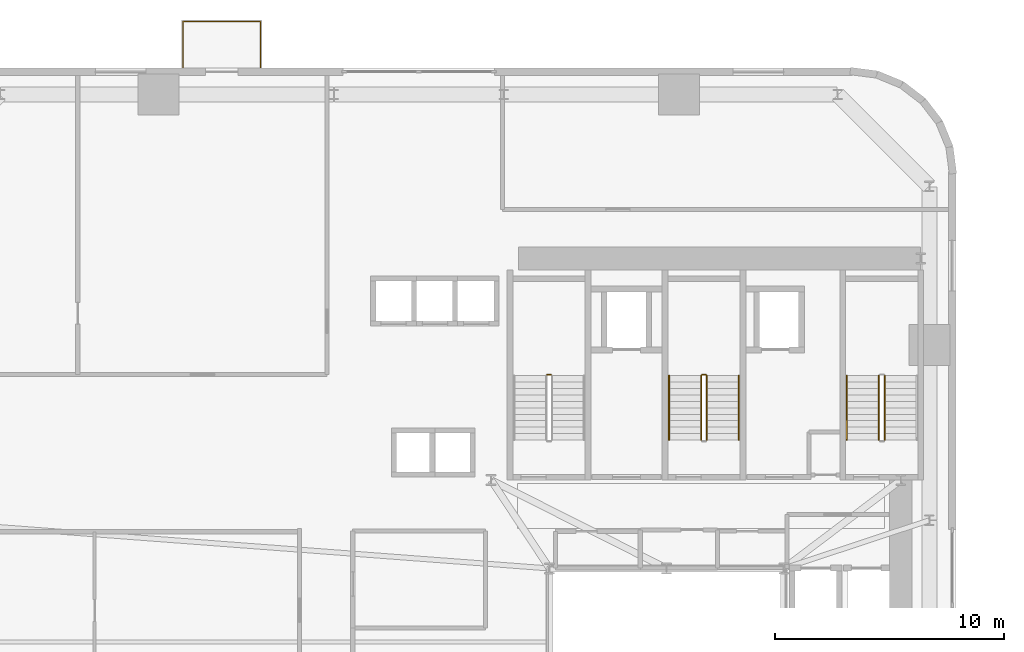
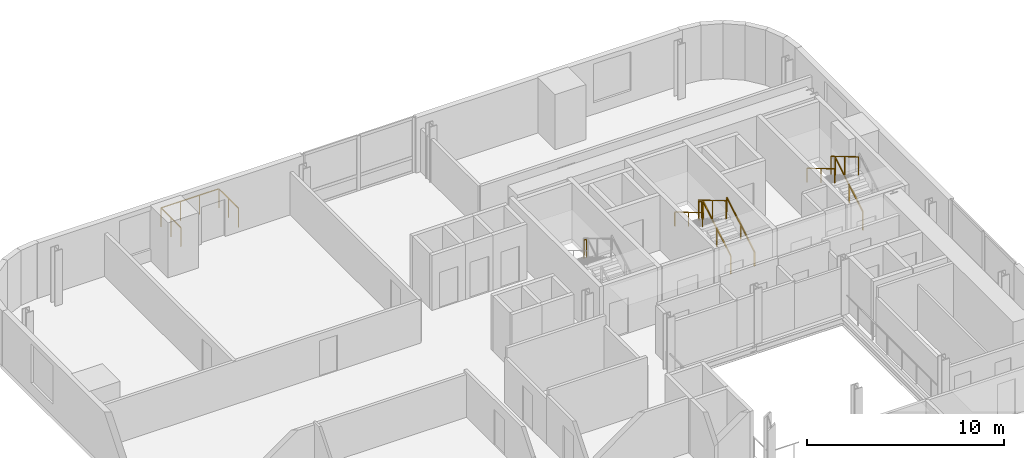
# One storey, part 12 of 13: 10 railings.
"""IFC4 building model written with IfcOpenShell, lengths in metres."""

import ifcopenshell
import ifcopenshell.guid

model = None  # the IFC model being written
_history = None  # IfcOwnerHistory: only IFC2X3 demands one
_inside = {}  # id of a spatial element -> (the spatial element, [elements in it])
_under = {}  # id of a project, library or spatial element -> (it, [spatial elements below it])
_declared = {}  # id of a project -> (the project, [libraries it declares])
_typed = {}  # id of a type object -> (the type object, [elements of that type])
_made_of = {}  # id of a material, layer set ... -> (it, [elements and type objects made of it])


def new_model(schema):
    """Start an empty IFC model of exactly this schema.

    Asked for "IFC4X3", IfcOpenShell would pick the latest addendum, in which some entities
    have other attributes; the version numbers below select the first issue.
    IFC2X3 requires an IfcOwnerHistory on every rooted entity: one is made here for all.
    """
    global model, _history
    if schema == "IFC4X3":
        model = ifcopenshell.file(schema_version=(4, 3, 0, 0))
    else:
        model = ifcopenshell.file(schema=schema)
    _inside.clear()
    _under.clear()
    _declared.clear()
    _typed.clear()
    _made_of.clear()
    _history = None
    if model.schema == "IFC2X3":
        org = make("IfcOrganization", Name="unknown")
        user = make(
            "IfcPersonAndOrganization",
            ThePerson=make("IfcPerson", FamilyName="unknown"),
            TheOrganization=org,
        )
        app = make(
            "IfcApplication",
            ApplicationDeveloper=org,
            Version="unknown",
            ApplicationFullName="unknown",
            ApplicationIdentifier="unknown",
        )
        _history = make(
            "IfcOwnerHistory",
            OwningUser=user,
            OwningApplication=app,
            ChangeAction="ADDED",
            CreationDate=0,
        )
    return model


def make(cls, **values):
    """One entity of the class cls with the attributes given. An attribute that is None is left unset."""
    return model.create_entity(
        cls, **{name: value for name, value in values.items() if value is not None}
    )


def rooted(cls, **values):
    """An entity with a GlobalId (a new one), such as an element, a storey or a relation."""
    return make(cls, GlobalId=ifcopenshell.guid.new(), OwnerHistory=_history, **values)


def si_unit(unit_type, name, prefix=None):
    """IfcSIUnit, for example si_unit("LENGTHUNIT", "METRE", prefix="MILLI")."""
    return make("IfcSIUnit", UnitType=unit_type, Prefix=prefix, Name=name)


def assignment(units):
    """IfcUnitAssignment: the units of a project."""
    return None if units is None else make("IfcUnitAssignment", Units=units)


def point(xyz):
    """IfcCartesianPoint."""
    return None if xyz is None else make("IfcCartesianPoint", Coordinates=xyz)


def direction(xyz):
    """IfcDirection."""
    return None if xyz is None else make("IfcDirection", DirectionRatios=xyz)


def frame(location, z_axis=None, x_axis=None):
    """IfcAxis2Placement3D, a coordinate frame: its origin and axes. An axis left out is left unset."""
    return make(
        "IfcAxis2Placement3D",
        Location=point(location),
        Axis=direction(z_axis),
        RefDirection=direction(x_axis),
    )


def frame_2d(location, x_axis=None):
    """IfcAxis2Placement2D, a coordinate frame in the plane: its origin and x axis."""
    return make(
        "IfcAxis2Placement2D", Location=point(location), RefDirection=direction(x_axis)
    )


def origin():
    """The frame at (0, 0, 0) with its axes left unset."""
    return frame((0.0, 0.0, 0.0))


def origin_2d():
    """The frame at (0, 0) in the plane with its x axis left unset."""
    return frame_2d((0.0, 0.0))


def place(relative_to, where):
    """IfcLocalPlacement: puts the frame where relative to a parent placement (None: the world)."""
    return make(
        "IfcLocalPlacement", PlacementRelTo=relative_to, RelativePlacement=where
    )


def context(
    kind, dimensions, precision=None, world=None, true_north=None, identifier=None
):
    """IfcGeometricRepresentationContext, for example the 3D "Model" context."""
    return make(
        "IfcGeometricRepresentationContext",
        ContextIdentifier=identifier,
        ContextType=kind,
        CoordinateSpaceDimension=dimensions,
        Precision=precision,
        WorldCoordinateSystem=world,
        TrueNorth=true_north,
    )


def subcontext(parent, identifier, kind, view, scale=None):
    """IfcGeometricRepresentationSubContext, for example "Body" below "Model"."""
    return make(
        "IfcGeometricRepresentationSubContext",
        ContextIdentifier=identifier,
        ContextType=kind,
        ParentContext=parent,
        TargetScale=scale,
        TargetView=view,
    )


def project(units=None, contexts=None):
    """IfcProject with its units and contexts."""
    return rooted(
        "IfcProject",
        Name="project",
        RepresentationContexts=contexts,
        UnitsInContext=assignment(units),
    )


def spatial(cls, under=None, at=None, **own):
    """A site, building, storey or space (cls), placed at a placement, below another one or the project."""
    s = rooted(cls, ObjectPlacement=at, **own)
    if under is not None:
        _under.setdefault(under.id(), (under, []))[1].append(s)
    return s


def profile(cls, at=None, kind="AREA", **sizes):
    """A parametric profile (cls). Its sizes go by their IFC names, for example OverallWidth=200.0."""
    return make(cls, ProfileType=kind, Position=at, **sizes)


def rectangle(**sizes):
    """IfcRectangleProfileDef."""
    return profile("IfcRectangleProfileDef", **sizes)


def extrude(swept, where, along, depth):
    """IfcExtrudedAreaSolid: the profile swept, set in the frame where, extruded along a direction by depth."""
    return make(
        "IfcExtrudedAreaSolid",
        SweptArea=swept,
        Position=where,
        ExtrudedDirection=direction(along),
        Depth=depth,
    )


def shape(context_of_items, identifier, shape_type, items):
    """IfcShapeRepresentation: the items that make up one representation, for example the "Body"."""
    return make(
        "IfcShapeRepresentation",
        ContextOfItems=context_of_items,
        RepresentationIdentifier=identifier,
        RepresentationType=shape_type,
        Items=items,
    )


def source(mapping_origin, context_of_items, identifier, shape_type, items):
    """IfcRepresentationMap: a shape defined once, which mapped items show again and again."""
    return make(
        "IfcRepresentationMap",
        MappingOrigin=mapping_origin,
        MappedRepresentation=shape(context_of_items, identifier, shape_type, items),
    )


def transform(
    local_origin,
    x_axis=None,
    y_axis=None,
    z_axis=None,
    scale=None,
    scale2=None,
    scale3=None,
    uniform=True,
):
    """IfcCartesianTransformationOperator3D, or its non-uniform kind. x_axis, y_axis, z_axis: its Axis1, 2, 3."""
    if uniform:
        return make(
            "IfcCartesianTransformationOperator3D",
            Axis1=direction(x_axis),
            Axis2=direction(y_axis),
            LocalOrigin=point(local_origin),
            Scale=scale,
            Axis3=direction(z_axis),
        )
    return make(
        "IfcCartesianTransformationOperator3DnonUniform",
        Axis1=direction(x_axis),
        Axis2=direction(y_axis),
        LocalOrigin=point(local_origin),
        Scale=scale,
        Axis3=direction(z_axis),
        Scale2=scale2,
        Scale3=scale3,
    )


def mapped(mapping_source, mapping_target):
    """IfcMappedItem: shows the shape of a source again, moved by a transform."""
    return make(
        "IfcMappedItem", MappingSource=mapping_source, MappingTarget=mapping_target
    )


def material(Name=None, Category=None):
    """IfcMaterial."""
    return make("IfcMaterial", Name=Name, Category=Category)


def made_of(thing, what):
    """Note that an element or type object is made of a material, layer set ...; save() writes the relation."""
    if what is not None:
        _made_of.setdefault(what.id(), (what, []))[1].append(thing)
    return thing


def type_object(cls, material=None, **own):
    """A type object (cls), such as IfcWallType, which elements share."""
    return made_of(rooted(cls, **own), material)


def element(
    cls,
    number,
    at=None,
    inside=None,
    cuts=None,
    type_object=None,
    material=None,
    context=None,
    identifier="Body",
    shape_type=None,
    held_by="IfcProductDefinitionShape",
    body=None,
    shapes=None,
    **own,
):
    """One element of the class cls, such as IfcWall. Its Tag is "e" and its number.

    at: its placement. inside: the storey or other place that contains it. cuts: it is an
    opening in that element (IfcRelVoidsElement). A single representation is given by context,
    identifier, shape_type and body (its items); several are given by shapes. held_by: the class
    of the entity that holds the representations. save() writes the other relations.
    """
    e = rooted(cls, Tag="e%d" % number, ObjectPlacement=at, **own)
    if body is not None:
        shapes = [shape(context, identifier, shape_type, body)]
    if shapes is not None:
        e.Representation = make(held_by, Representations=shapes)
    if inside is not None:
        _inside.setdefault(inside.id(), (inside, []))[1].append(e)
    if cuts is not None:
        rooted(
            "IfcRelVoidsElement", RelatingBuildingElement=cuts, RelatedOpeningElement=e
        )
    if type_object is not None:
        _typed.setdefault(type_object.id(), (type_object, []))[1].append(e)
    return made_of(e, material)


def aggregate(whole, parts):
    """IfcRelAggregates: a whole, such as a stair, and the parts it consists of."""
    return rooted("IfcRelAggregates", RelatingObject=whole, RelatedObjects=parts)


def save(model, path):
    """Write the relations noted so far, then the file.

    IfcRelAggregates (storeys below a building ...), IfcRelContainedInSpatialStructure (elements
    in a storey), IfcRelDefinesByType, IfcRelAssociatesMaterial and IfcRelDeclares: one each for
    every whole, place, type object, material and project.
    """
    for whole, parts in _under.values():
        aggregate(whole, parts)
    for where, things in _inside.values():
        rooted(
            "IfcRelContainedInSpatialStructure",
            RelatedElements=things,
            RelatingStructure=where,
        )
    for kind, things in _typed.values():
        rooted("IfcRelDefinesByType", RelatedObjects=things, RelatingType=kind)
    for what, things in _made_of.values():
        rooted("IfcRelAssociatesMaterial", RelatedObjects=things, RelatingMaterial=what)
    for by, libraries in _declared.values():
        rooted("IfcRelDeclares", RelatingContext=by, RelatedDefinitions=libraries)
    model.write(path)


model = new_model("IFC4")

# Units and contexts
model_context = context("Model", 3, precision=1e-05, world=origin(), true_north=direction((0.0, 1.0)))
body_context = subcontext(model_context, "Body", "Model", "MODEL_VIEW")
ifc_project = project(units=[si_unit("LENGTHUNIT", "METRE"), si_unit("AREAUNIT", "SQUARE_METRE"), si_unit("VOLUMEUNIT", "CUBIC_METRE"), si_unit("PLANEANGLEUNIT", "RADIAN"), si_unit("MASSUNIT", "GRAM", prefix="KILO")], contexts=[model_context])

# Site, building, storey
site_placement = place(None, origin())
site = spatial("IfcSite", under=ifc_project, at=site_placement, CompositionType="ELEMENT")
building_placement = place(site_placement, origin())
building = spatial("IfcBuilding", under=site, at=building_placement, Name="Vardaveli Station Tower", CompositionType="ELEMENT")
storey_placement = place(building_placement, frame((0.0, 0.0, 67.75)))
storey = spatial("IfcBuildingStorey", under=building, at=storey_placement, Name="L17", CompositionType="ELEMENT", Elevation=67.75)

# Railings
ifc_material_1 = material(Name="Laminated glass and stainless steel balustrade", Category="steel")
railing_type_1 = type_object("IfcRailingType", Name="RL-BAL-1200", PredefinedType="BALUSTRADE", material=ifc_material_1)
shared_shape_1 = source(origin(), body_context, "Body", "SweptSolid", [
    extrude(rectangle(XDim=0.048095703125, YDim=0.048095703125, at=origin_2d()), frame((0.0, 0.0, 1.17578125), z_axis=(0.0, 1.0, 0.0), x_axis=(-1.0, 0.0, 0.0)), (0.0, 0.0, 1.0), 2.0),
    extrude(rectangle(XDim=0.048095703125, YDim=0.048095703125, at=origin_2d()), frame((0.0, 2.0, 1.17578125), z_axis=(1.0, 0.0, 0.0), x_axis=(0.0, 1.0, 0.0)), (0.0, 0.0, 1.0), 3.3798828125),
    extrude(rectangle(XDim=0.048095703125, YDim=0.048095703125, at=origin_2d()), frame((3.3798828125, 2.0, 1.17578125), z_axis=(0.0, -1.0, 0.0), x_axis=(1.0, 0.0, 0.0)), (0.0, 0.0, 1.0), 2.0),
    extrude(rectangle(XDim=0.0419921875, YDim=0.0419921875, at=origin_2d()), origin(), (0.0, 0.0, 1.0), 1.15185546875),
    extrude(rectangle(XDim=0.0419921875, YDim=0.0419921875, at=origin_2d()), frame((0.0, 1.0, 0.0)), (0.0, 0.0, 1.0), 1.15185546875),
    extrude(rectangle(XDim=0.0419921875, YDim=0.0419921875, at=origin_2d()), frame((0.0, 2.0, 0.0)), (0.0, 0.0, 1.0), 1.15185546875),
    extrude(rectangle(XDim=0.0419921875, YDim=0.0419921875, at=origin_2d()), frame((1.126708984375, 2.0, 0.0)), (0.0, 0.0, 1.0), 1.15185546875),
    extrude(rectangle(XDim=0.0419921875, YDim=0.0419921875, at=origin_2d()), frame((2.253173828125, 2.0, 0.0)), (0.0, 0.0, 1.0), 1.15185546875),
    extrude(rectangle(XDim=0.0419921875, YDim=0.0419921875, at=origin_2d()), frame((3.3798828125, 2.0, 0.0)), (0.0, 0.0, 1.0), 1.15185546875),
    extrude(rectangle(XDim=0.0419921875, YDim=0.0419921875, at=origin_2d()), frame((3.3798828125, 1.0, 0.0)), (0.0, 0.0, 1.0), 1.15185546875),
    extrude(rectangle(XDim=0.0419921875, YDim=0.0419921875, at=origin_2d()), frame((3.3798828125, 0.0, 0.0)), (0.0, 0.0, 1.0), 1.15185546875),
])
railing_1_placement = place(storey_placement, frame((15.220458984375, 48.639892578125, 0.0)))
element("IfcRailing", 1, at=railing_1_placement, inside=storey, type_object=railing_type_1, Name="RL-LOG-L17-02", PredefinedType="BALUSTRADE", context=body_context, shape_type="MappedRepresentation", body=[
    mapped(shared_shape_1, transform((0.0, 0.0, 0.0), scale=1.0)),
])
ifc_material_2 = material(Name="Brushed AISI 316 stainless steel", Category="steel")
railing_type_2 = type_object("IfcRailingType", Name="RL-GUARD-1150", PredefinedType="GUARDRAIL", material=ifc_material_2)
shared_shape_2 = source(origin(), body_context, "Body", "SweptSolid", [
    extrude(rectangle(XDim=0.048095703125, YDim=0.048095703125, at=origin_2d()), frame((0.0, 0.0, 1.1259765625), z_axis=(-1.0, 0.0, 0.0), x_axis=(0.0, -1.0, 0.0)), (0.0, 0.0, 1.0), 0.14990234375),
    extrude(rectangle(XDim=0.0419921875, YDim=0.0419921875, at=origin_2d()), origin(), (0.0, 0.0, 1.0), 1.101806640625),
    extrude(rectangle(XDim=0.0419921875, YDim=0.0419921875, at=origin_2d()), frame((-0.14990234375, 0.0, 0.0)), (0.0, 0.0, 1.0), 1.101806640625),
])
for number, where, name in (
    (2, (31.25, 35.25, 1.824951171875), "L17 ST-1 stair guard 2"),
    (3, (38.0, 35.25, 1.824951171875), "L17 ST-2 stair guard 2"),
):
    element("IfcRailing", number, at=place(storey_placement, frame(where)), inside=storey, type_object=railing_type_2, Name=name, PredefinedType="GUARDRAIL", context=body_context, shape_type="MappedRepresentation", body=[
        mapped(shared_shape_2, transform((0.0, 0.0, 0.0), scale=1.0)),
    ])
shared_shape_3 = source(origin(), body_context, "Body", "SweptSolid", [
    extrude(rectangle(XDim=0.048095703125, YDim=0.048095703125, at=origin_2d()), frame((0.0, 0.0, 1.1259765625), z_axis=(0.0, 0.860339051648, 0.50972219513), x_axis=(-1.0, 0.0, 0.0)), (0.0, 0.0, 1.0), 3.254638671875),
    extrude(rectangle(XDim=0.0419921875, YDim=0.0419921875, at=origin_2d()), origin(), (0.0, 0.0, 1.0), 1.101806640625),
    extrude(rectangle(XDim=0.0419921875, YDim=0.0419921875, at=origin_2d()), frame((0.0, 1.39990234375, 0.82958984375)), (0.0, 0.0, 1.0), 1.101806640625),
    extrude(rectangle(XDim=0.0419921875, YDim=0.0419921875, at=origin_2d()), frame((0.0, 2.800048828125, 1.658935546875)), (0.0, 0.0, 1.0), 1.101806640625),
])
for number, where, name in (
    (4, (38.050048828125, 32.39990234375, 0.166015625), "L17 ST-2 stair guard 1"),
    (5, (45.800048828125, 32.39990234375, 0.166015625), "L17 ST-3 stair guard 1"),
):
    element("IfcRailing", number, at=place(storey_placement, frame(where)), inside=storey, type_object=railing_type_2, Name=name, PredefinedType="GUARDRAIL", context=body_context, shape_type="MappedRepresentation", body=[
        mapped(shared_shape_3, transform((0.0, 0.0, 0.0), scale=1.0)),
    ])
shared_shape_4 = source(origin(), body_context, "Body", "SweptSolid", [
    extrude(rectangle(XDim=0.048095703125, YDim=0.048095703125, at=origin_2d()), frame((0.0, 0.0, 1.1259765625), z_axis=(0.0, -0.860339051648, 0.50972219513), x_axis=(1.0, 0.0, 0.0)), (0.0, 0.0, 1.0), 3.254638671875),
    extrude(rectangle(XDim=0.0419921875, YDim=0.0419921875, at=origin_2d()), origin(), (0.0, 0.0, 1.0), 1.101806640625),
    extrude(rectangle(XDim=0.0419921875, YDim=0.0419921875, at=origin_2d()), frame((0.0, -1.39990234375, 0.82958984375)), (0.0, 0.0, 1.0), 1.101806640625),
    extrude(rectangle(XDim=0.0419921875, YDim=0.0419921875, at=origin_2d()), frame((0.0, -2.800048828125, 1.658935546875)), (0.0, 0.0, 1.0), 1.101806640625),
])
for number, where, name in (
    (6, (37.800048828125, 35.199951171875, 1.990966796875), "L17 ST-2 stair guard 3"),
    (7, (45.550048828125, 35.199951171875, 1.990966796875), "L17 ST-3 stair guard 3"),
):
    element("IfcRailing", number, at=place(storey_placement, frame(where)), inside=storey, type_object=railing_type_2, Name=name, PredefinedType="GUARDRAIL", context=body_context, shape_type="MappedRepresentation", body=[
        mapped(shared_shape_4, transform((0.0, 0.0, 0.0), scale=1.0)),
    ])
railing_type_3 = type_object("IfcRailingType", Name="RL-HAND-900", PredefinedType="HANDRAIL", material=ifc_material_2)
shared_shape_5 = source(origin(), body_context, "Body", "SweptSolid", [
    extrude(rectangle(XDim=0.048095703125, YDim=0.048095703125, at=origin_2d()), frame((0.0, 0.0, 0.8759765625), z_axis=(0.0, 0.860339051648, 0.50972219513), x_axis=(-1.0, 0.0, 0.0)), (0.0, 0.0, 1.0), 3.254638671875),
    extrude(rectangle(XDim=0.0419921875, YDim=0.0419921875, at=origin_2d()), origin(), (0.0, 0.0, 1.0), 0.851806640625),
    extrude(rectangle(XDim=0.0419921875, YDim=0.0419921875, at=origin_2d()), frame((0.0, 1.39990234375, 0.82958984375)), (0.0, 0.0, 1.0), 0.851806640625),
    extrude(rectangle(XDim=0.0419921875, YDim=0.0419921875, at=origin_2d()), frame((0.0, 2.800048828125, 1.658935546875)), (0.0, 0.0, 1.0), 0.851806640625),
])
railing_2_placement = place(storey_placement, frame((39.449951171875, 32.39990234375, 0.166015625)))
element("IfcRailing", 8, at=railing_2_placement, inside=storey, type_object=railing_type_3, Name="L17 ST-2 stair handrail 1", PredefinedType="HANDRAIL", context=body_context, shape_type="MappedRepresentation", body=[
    mapped(shared_shape_5, transform((0.0, 0.0, 0.0), scale=1.0)),
])
shared_shape_6 = source(origin(), body_context, "Body", "SweptSolid", [
    extrude(rectangle(XDim=0.048095703125, YDim=0.048095703125, at=origin_2d()), frame((0.0, 0.0, 0.8759765625), z_axis=(0.0, -0.860339051648, 0.50972219513), x_axis=(1.0, 0.0, 0.0)), (0.0, 0.0, 1.0), 3.254638671875),
    extrude(rectangle(XDim=0.0419921875, YDim=0.0419921875, at=origin_2d()), origin(), (0.0, 0.0, 1.0), 0.851806640625),
    extrude(rectangle(XDim=0.0419921875, YDim=0.0419921875, at=origin_2d()), frame((0.0, -1.39990234375, 0.82958984375)), (0.0, 0.0, 1.0), 0.851806640625),
    extrude(rectangle(XDim=0.0419921875, YDim=0.0419921875, at=origin_2d()), frame((0.0, -2.800048828125, 1.658935546875)), (0.0, 0.0, 1.0), 0.851806640625),
])
for number, where, name in (
    (9, (36.39990234375, 35.199951171875, 1.990966796875), "L17 ST-2 stair handrail 2"),
    (10, (44.14990234375, 35.199951171875, 1.990966796875), "L17 ST-3 stair handrail 2"),
):
    element("IfcRailing", number, at=place(storey_placement, frame(where)), inside=storey, type_object=railing_type_3, Name=name, PredefinedType="HANDRAIL", context=body_context, shape_type="MappedRepresentation", body=[
        mapped(shared_shape_6, transform((0.0, 0.0, 0.0), scale=1.0)),
    ])

save(model, "model.ifc")
